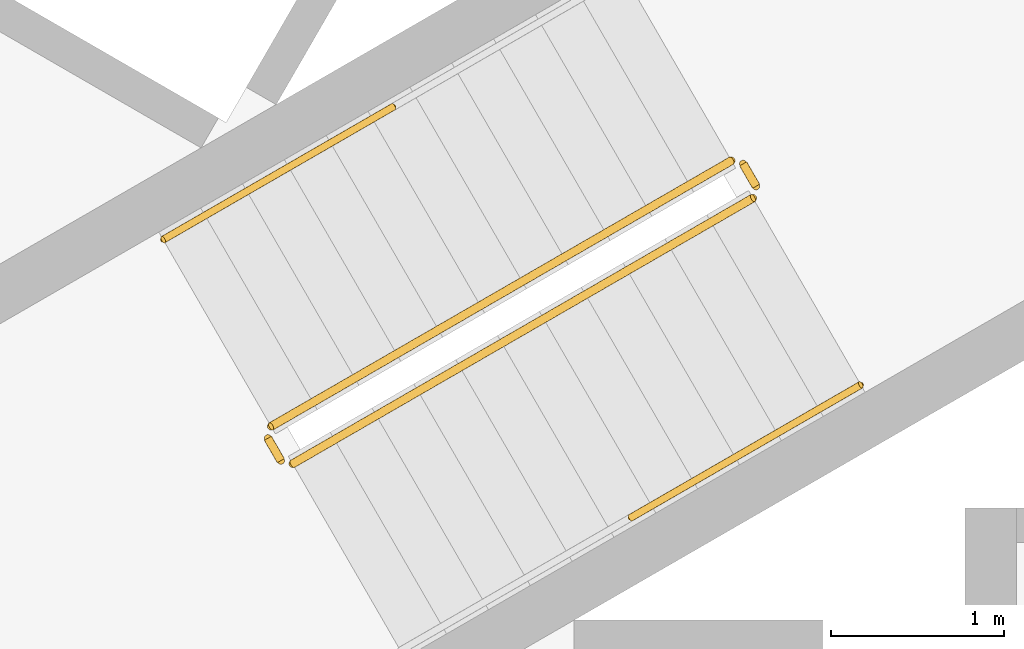
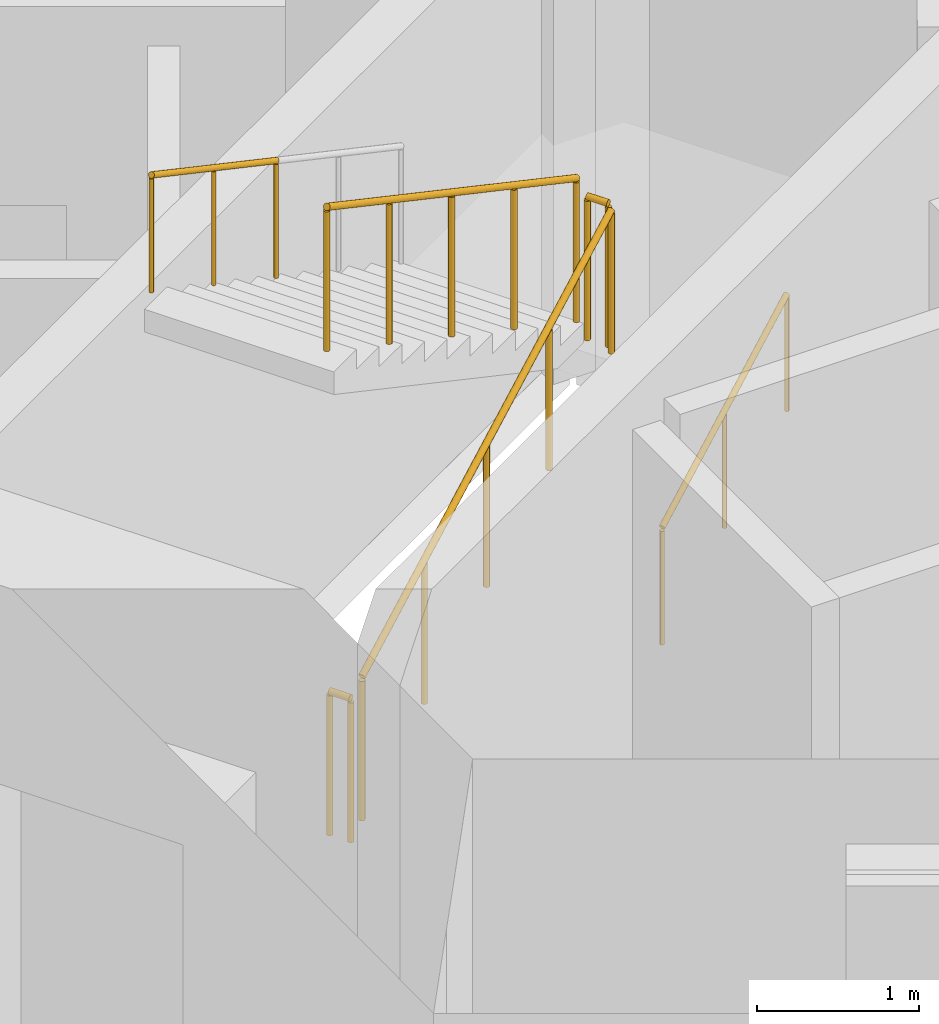
# One storey, part 13 of 18: 6 railings.
"""IFC4 building model written with IfcOpenShell, lengths in metres."""

from ifc_helpers import new_model, si_unit, direction, frame, origin, origin_2d, place, context, subcontext, project, spatial, circle, extrude, material, type_object, element, save


model = new_model("IFC4")

# Units and contexts
model_context = context("Model", 3, precision=1e-05, world=origin(), true_north=direction((0.0, 1.0)))
body_context = subcontext(model_context, "Body", "Model", "MODEL_VIEW")
ifc_project = project(units=[si_unit("LENGTHUNIT", "METRE"), si_unit("AREAUNIT", "SQUARE_METRE"), si_unit("VOLUMEUNIT", "CUBIC_METRE"), si_unit("PLANEANGLEUNIT", "RADIAN"), si_unit("MASSUNIT", "GRAM", prefix="KILO")], contexts=[model_context])

# Site, building, storey
site_placement = place(None, origin())
site = spatial("IfcSite", under=ifc_project, at=site_placement, CompositionType="ELEMENT")
building_placement = place(site_placement, origin())
building = spatial("IfcBuilding", under=site, at=building_placement, Name="Trine Commons Tower", CompositionType="ELEMENT")
storey_placement = place(building_placement, frame((0.0, 0.0, 171.89990234375)))
storey = spatial("IfcBuildingStorey", under=building, at=storey_placement, Name="L44", CompositionType="ELEMENT", Elevation=171.89990234375)

# Railings
ifc_material_1 = material(Name="Stainless steel balustrade", Category="steel")
railing_type_1 = type_object("IfcRailingType", Name="Stair guard, steel balustrade 1100", PredefinedType="GUARDRAIL", material=ifc_material_1)
railing_1_placement = place(storey_placement, frame((74.80517578125, 59.3564453125, 0.150146484375)))
element("IfcRailing", 1, at=railing_1_placement, inside=storey, type_object=railing_type_1, Name="L44 ST2B stair guard 1", PredefinedType="GUARDRAIL", context=body_context, shape_type="SweptSolid", body=[
    extrude(circle(Radius=0.02392578125, at=origin_2d()), frame((0.0, 0.0, 1.076171875), z_axis=(0.76340495495, 0.440743040072, 0.472184759798), x_axis=(-0.499992328818, 0.866029832698, 0.0)), (0.0, 0.0, 1.0), 3.494140625),
    extrude(circle(Radius=0.02099609375, at=origin_2d()), origin(), (0.0, 0.0, 1.0), 1.052001953125),
    extrude(circle(Radius=0.02099609375, at=origin_2d()), frame((0.6669921875, 0.385009765625, 0.41259765625)), (0.0, 0.0, 1.0), 1.052001953125),
    extrude(circle(Radius=0.02099609375, at=origin_2d()), frame((1.333740234375, 0.77001953125, 0.824951171875)), (0.0, 0.0, 1.0), 1.052001953125),
    extrude(circle(Radius=0.02099609375, at=origin_2d()), frame((2.00048828125, 1.155029296875, 1.2373046875)), (0.0, 0.0, 1.0), 1.052001953125),
    extrude(circle(Radius=0.02099609375, at=origin_2d()), frame((2.66748046875, 1.5400390625, 1.64990234375)), (0.0, 0.0, 1.0), 1.052001953125),
])
railing_2_placement = place(storey_placement, frame((77.490966796875, 60.96484375, 1.800048828125)))
element("IfcRailing", 2, at=railing_2_placement, inside=storey, type_object=railing_type_1, Name="L44 ST2B stair guard 2", PredefinedType="GUARDRAIL", context=body_context, shape_type="SweptSolid", body=[
    extrude(circle(Radius=0.02392578125, at=origin_2d()), frame((0.0, 0.0, 1.076171875), z_axis=(-0.501036270542, 0.865426285481, 0.0), x_axis=(-0.865426285481, -0.501036270542, 0.0)), (0.0, 0.0, 1.0), 0.150146484375),
    extrude(circle(Radius=0.02099609375, at=origin_2d()), origin(), (0.0, 0.0, 1.0), 1.052001953125),
    extrude(circle(Radius=0.02099609375, at=origin_2d()), frame((-0.0751953125, 0.1298828125, 0.0)), (0.0, 0.0, 1.0), 1.052001953125),
])
railing_3_placement = place(storey_placement, frame((77.34765625, 61.113037109375, 1.9501953125)))
element("IfcRailing", 3, at=railing_3_placement, inside=storey, type_object=railing_type_1, Name="L44 ST2B stair guard 3", PredefinedType="GUARDRAIL", context=body_context, shape_type="SweptSolid", body=[
    extrude(circle(Radius=0.02392578125, at=origin_2d()), frame((0.0, 0.0, 1.076171875), z_axis=(-0.76340495495, -0.440743040072, 0.472184759798), x_axis=(0.499992328818, -0.866029832698, 0.0)), (0.0, 0.0, 1.0), 3.494140625),
    extrude(circle(Radius=0.02099609375, at=origin_2d()), origin(), (0.0, 0.0, 1.0), 1.052001953125),
    extrude(circle(Radius=0.02099609375, at=origin_2d()), frame((-0.6669921875, -0.385009765625, 0.41259765625)), (0.0, 0.0, 1.0), 1.052001953125),
    extrude(circle(Radius=0.02099609375, at=origin_2d()), frame((-1.333740234375, -0.77001953125, 0.824951171875)), (0.0, 0.0, 1.0), 1.052001953125),
    extrude(circle(Radius=0.02099609375, at=origin_2d()), frame((-2.00048828125, -1.155029296875, 1.2373046875)), (0.0, 0.0, 1.0), 1.052001953125),
    extrude(circle(Radius=0.02099609375, at=origin_2d()), frame((-2.66748046875, -1.5400390625, 1.64990234375)), (0.0, 0.0, 1.0), 1.052001953125),
])
railing_4_placement = place(storey_placement, frame((74.73681640625, 59.374755859375, 0.0)))
element("IfcRailing", 4, at=railing_4_placement, inside=storey, type_object=railing_type_1, Name="L44 ST2B stair guard 4", PredefinedType="GUARDRAIL", context=body_context, shape_type="SweptSolid", body=[
    extrude(circle(Radius=0.02392578125, at=origin_2d()), frame((0.0, 0.0, 1.076171875), z_axis=(-0.499816412211, 0.866131372301, 0.0), x_axis=(-0.866131372301, -0.499816412211, 0.0)), (0.0, 0.0, 1.0), 0.14990234375),
    extrude(circle(Radius=0.02099609375, at=origin_2d()), origin(), (0.0, 0.0, 1.0), 1.052001953125),
    extrude(circle(Radius=0.02099609375, at=origin_2d()), frame((-0.074951171875, 0.1298828125, 0.0)), (0.0, 0.0, 1.0), 1.052001953125),
])
ifc_material_2 = material(Name="Stainless steel handrail", Category="steel")
railing_type_2 = type_object("IfcRailingType", Name="Stair handrail, steel 900", PredefinedType="HANDRAIL", material=ifc_material_2)
railing_5_placement = place(storey_placement, frame((76.763916015625, 59.0439453125, 0.97509765625)))
element("IfcRailing", 5, at=railing_5_placement, inside=storey, type_object=railing_type_2, Name="L44 ST2B stair handrail 2", PredefinedType="HANDRAIL", context=body_context, shape_type="SweptSolid", body=[
    extrude(circle(Radius=0.02099609375, at=origin_2d()), frame((0.0, 0.0, 0.87890625), z_axis=(0.76340495495, 0.440743040072, 0.472184759798), x_axis=(-0.499992328818, 0.866029832698, 0.0)), (0.0, 0.0, 1.0), 1.7470703125),
    extrude(circle(Radius=0.01513671875, at=origin_2d()), origin(), (0.0, 0.0, 1.0), 0.85791015625),
    extrude(circle(Radius=0.01513671875, at=origin_2d()), frame((0.6669921875, 0.385009765625, 0.41259765625)), (0.0, 0.0, 1.0), 0.85791015625),
    extrude(circle(Radius=0.01513671875, at=origin_2d()), frame((1.333740234375, 0.77001953125, 0.824951171875)), (0.0, 0.0, 1.0), 0.85791015625),
])
railing_6_placement = place(storey_placement, frame((75.388916015625, 61.425537109375, 2.775146484375)))
element("IfcRailing", 6, at=railing_6_placement, inside=storey, type_object=railing_type_2, Name="L44 ST2B stair handrail 4", PredefinedType="HANDRAIL", context=body_context, shape_type="SweptSolid", body=[
    extrude(circle(Radius=0.02099609375, at=origin_2d()), frame((0.0, 0.0, 0.87890625), z_axis=(-0.76340495495, -0.440743040072, 0.472184759798), x_axis=(0.499992328818, -0.866029832698, 0.0)), (0.0, 0.0, 1.0), 1.7470703125),
    extrude(circle(Radius=0.01513671875, at=origin_2d()), origin(), (0.0, 0.0, 1.0), 0.85791015625),
    extrude(circle(Radius=0.01513671875, at=origin_2d()), frame((-0.6669921875, -0.385009765625, 0.41259765625)), (0.0, 0.0, 1.0), 0.85791015625),
    extrude(circle(Radius=0.01513671875, at=origin_2d()), frame((-1.333740234375, -0.77001953125, 0.824951171875)), (0.0, 0.0, 1.0), 0.85791015625),
])

save(model, "model.ifc")
